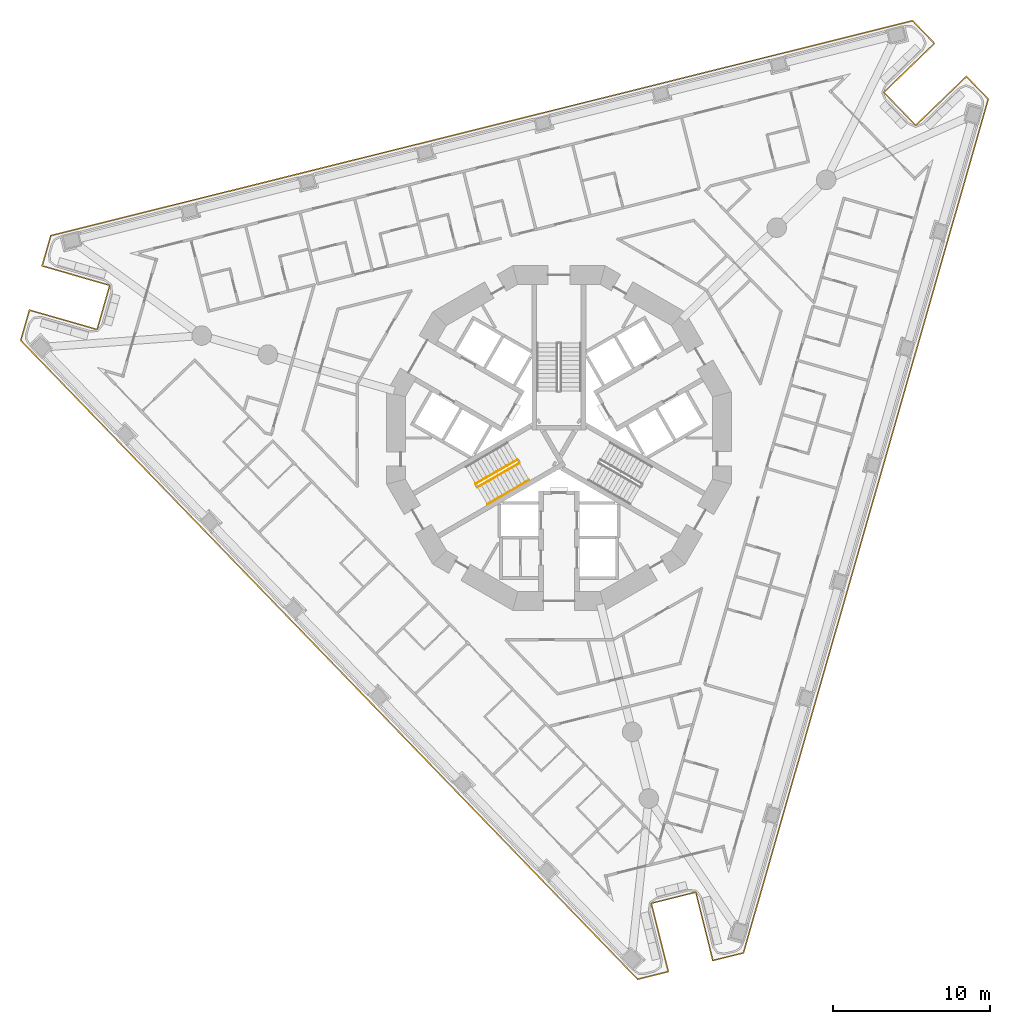
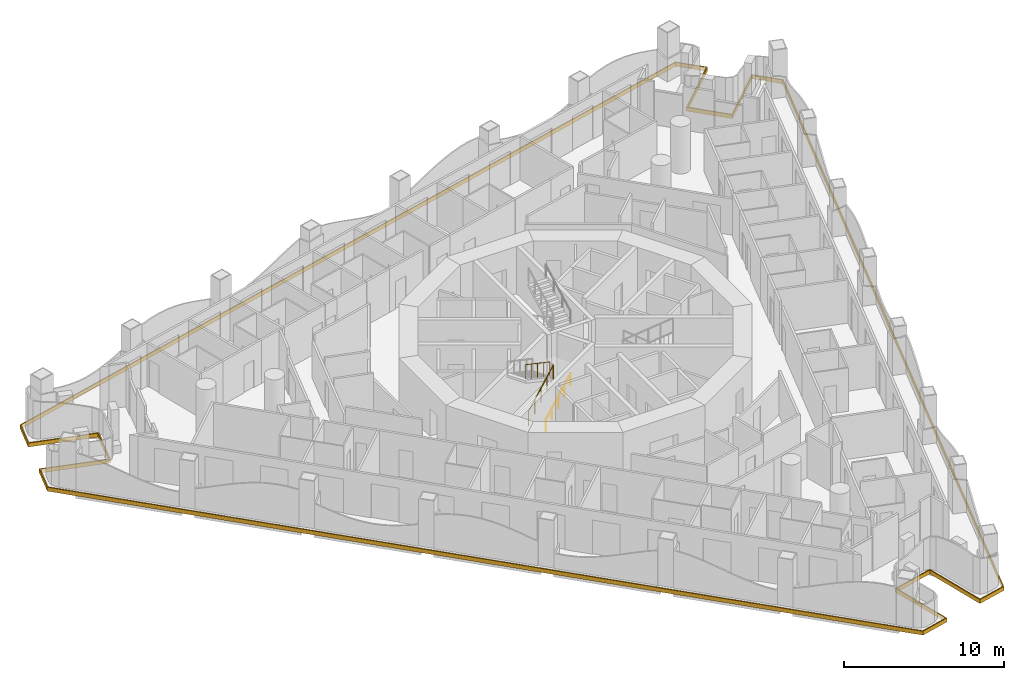
# One storey, part 14 of 20: 4 railings, 1 covering.
"""IFC4 building model written with IfcOpenShell, lengths in metres."""

import ifcopenshell
import ifcopenshell.guid

model = None  # the IFC model being written
_history = None  # IfcOwnerHistory: only IFC2X3 demands one
_inside = {}  # id of a spatial element -> (the spatial element, [elements in it])
_under = {}  # id of a project, library or spatial element -> (it, [spatial elements below it])
_declared = {}  # id of a project -> (the project, [libraries it declares])
_typed = {}  # id of a type object -> (the type object, [elements of that type])
_made_of = {}  # id of a material, layer set ... -> (it, [elements and type objects made of it])


def new_model(schema):
    """Start an empty IFC model of exactly this schema.

    Asked for "IFC4X3", IfcOpenShell would pick the latest addendum, in which some entities
    have other attributes; the version numbers below select the first issue.
    IFC2X3 requires an IfcOwnerHistory on every rooted entity: one is made here for all.
    """
    global model, _history
    if schema == "IFC4X3":
        model = ifcopenshell.file(schema_version=(4, 3, 0, 0))
    else:
        model = ifcopenshell.file(schema=schema)
    _inside.clear()
    _under.clear()
    _declared.clear()
    _typed.clear()
    _made_of.clear()
    _history = None
    if model.schema == "IFC2X3":
        org = make("IfcOrganization", Name="unknown")
        user = make(
            "IfcPersonAndOrganization",
            ThePerson=make("IfcPerson", FamilyName="unknown"),
            TheOrganization=org,
        )
        app = make(
            "IfcApplication",
            ApplicationDeveloper=org,
            Version="unknown",
            ApplicationFullName="unknown",
            ApplicationIdentifier="unknown",
        )
        _history = make(
            "IfcOwnerHistory",
            OwningUser=user,
            OwningApplication=app,
            ChangeAction="ADDED",
            CreationDate=0,
        )
    return model


def make(cls, **values):
    """One entity of the class cls with the attributes given. An attribute that is None is left unset."""
    return model.create_entity(
        cls, **{name: value for name, value in values.items() if value is not None}
    )


def rooted(cls, **values):
    """An entity with a GlobalId (a new one), such as an element, a storey or a relation."""
    return make(cls, GlobalId=ifcopenshell.guid.new(), OwnerHistory=_history, **values)


def si_unit(unit_type, name, prefix=None):
    """IfcSIUnit, for example si_unit("LENGTHUNIT", "METRE", prefix="MILLI")."""
    return make("IfcSIUnit", UnitType=unit_type, Prefix=prefix, Name=name)


def assignment(units):
    """IfcUnitAssignment: the units of a project."""
    return None if units is None else make("IfcUnitAssignment", Units=units)


def point(xyz):
    """IfcCartesianPoint."""
    return None if xyz is None else make("IfcCartesianPoint", Coordinates=xyz)


def direction(xyz):
    """IfcDirection."""
    return None if xyz is None else make("IfcDirection", DirectionRatios=xyz)


def frame(location, z_axis=None, x_axis=None):
    """IfcAxis2Placement3D, a coordinate frame: its origin and axes. An axis left out is left unset."""
    return make(
        "IfcAxis2Placement3D",
        Location=point(location),
        Axis=direction(z_axis),
        RefDirection=direction(x_axis),
    )


def frame_2d(location, x_axis=None):
    """IfcAxis2Placement2D, a coordinate frame in the plane: its origin and x axis."""
    return make(
        "IfcAxis2Placement2D", Location=point(location), RefDirection=direction(x_axis)
    )


def origin():
    """The frame at (0, 0, 0) with its axes left unset."""
    return frame((0.0, 0.0, 0.0))


def origin_2d():
    """The frame at (0, 0) in the plane with its x axis left unset."""
    return frame_2d((0.0, 0.0))


def place(relative_to, where):
    """IfcLocalPlacement: puts the frame where relative to a parent placement (None: the world)."""
    return make(
        "IfcLocalPlacement", PlacementRelTo=relative_to, RelativePlacement=where
    )


def context(
    kind, dimensions, precision=None, world=None, true_north=None, identifier=None
):
    """IfcGeometricRepresentationContext, for example the 3D "Model" context."""
    return make(
        "IfcGeometricRepresentationContext",
        ContextIdentifier=identifier,
        ContextType=kind,
        CoordinateSpaceDimension=dimensions,
        Precision=precision,
        WorldCoordinateSystem=world,
        TrueNorth=true_north,
    )


def subcontext(parent, identifier, kind, view, scale=None):
    """IfcGeometricRepresentationSubContext, for example "Body" below "Model"."""
    return make(
        "IfcGeometricRepresentationSubContext",
        ContextIdentifier=identifier,
        ContextType=kind,
        ParentContext=parent,
        TargetScale=scale,
        TargetView=view,
    )


def project(units=None, contexts=None):
    """IfcProject with its units and contexts."""
    return rooted(
        "IfcProject",
        Name="project",
        RepresentationContexts=contexts,
        UnitsInContext=assignment(units),
    )


def spatial(cls, under=None, at=None, **own):
    """A site, building, storey or space (cls), placed at a placement, below another one or the project."""
    s = rooted(cls, ObjectPlacement=at, **own)
    if under is not None:
        _under.setdefault(under.id(), (under, []))[1].append(s)
    return s


def polyline(points):
    """IfcPolyline through the points."""
    return make("IfcPolyline", Points=[point(p) for p in points])


def profile(cls, at=None, kind="AREA", **sizes):
    """A parametric profile (cls). Its sizes go by their IFC names, for example OverallWidth=200.0."""
    return make(cls, ProfileType=kind, Position=at, **sizes)


def circle(**sizes):
    """IfcCircleProfileDef."""
    return profile("IfcCircleProfileDef", **sizes)


def outline(outer, holes=None, kind="AREA"):
    """IfcArbitraryClosedProfileDef: a profile drawn as a closed curve; with holes, ...WithVoids."""
    if holes is None:
        return make("IfcArbitraryClosedProfileDef", ProfileType=kind, OuterCurve=outer)
    return make(
        "IfcArbitraryProfileDefWithVoids",
        ProfileType=kind,
        OuterCurve=outer,
        InnerCurves=holes,
    )


def extrude(swept, where, along, depth):
    """IfcExtrudedAreaSolid: the profile swept, set in the frame where, extruded along a direction by depth."""
    return make(
        "IfcExtrudedAreaSolid",
        SweptArea=swept,
        Position=where,
        ExtrudedDirection=direction(along),
        Depth=depth,
    )


def shape(context_of_items, identifier, shape_type, items):
    """IfcShapeRepresentation: the items that make up one representation, for example the "Body"."""
    return make(
        "IfcShapeRepresentation",
        ContextOfItems=context_of_items,
        RepresentationIdentifier=identifier,
        RepresentationType=shape_type,
        Items=items,
    )


def material(Name=None, Category=None):
    """IfcMaterial."""
    return make("IfcMaterial", Name=Name, Category=Category)


def layer(
    of_material, thickness, ventilated=None, Name=None, Category=None, Priority=None
):
    """IfcMaterialLayer: one layer of a wall or slab, of a material (None: an air gap)."""
    return make(
        "IfcMaterialLayer",
        Material=of_material,
        LayerThickness=thickness,
        IsVentilated=ventilated,
        Name=Name,
        Category=Category,
        Priority=Priority,
    )


def layer_set(layers, Name=None):
    """IfcMaterialLayerSet."""
    return make("IfcMaterialLayerSet", MaterialLayers=layers, LayerSetName=Name)


def made_of(thing, what):
    """Note that an element or type object is made of a material, layer set ...; save() writes the relation."""
    if what is not None:
        _made_of.setdefault(what.id(), (what, []))[1].append(thing)
    return thing


def type_object(cls, material=None, **own):
    """A type object (cls), such as IfcWallType, which elements share."""
    return made_of(rooted(cls, **own), material)


def element(
    cls,
    number,
    at=None,
    inside=None,
    cuts=None,
    type_object=None,
    material=None,
    context=None,
    identifier="Body",
    shape_type=None,
    held_by="IfcProductDefinitionShape",
    body=None,
    shapes=None,
    **own,
):
    """One element of the class cls, such as IfcWall. Its Tag is "e" and its number.

    at: its placement. inside: the storey or other place that contains it. cuts: it is an
    opening in that element (IfcRelVoidsElement). A single representation is given by context,
    identifier, shape_type and body (its items); several are given by shapes. held_by: the class
    of the entity that holds the representations. save() writes the other relations.
    """
    e = rooted(cls, Tag="e%d" % number, ObjectPlacement=at, **own)
    if body is not None:
        shapes = [shape(context, identifier, shape_type, body)]
    if shapes is not None:
        e.Representation = make(held_by, Representations=shapes)
    if inside is not None:
        _inside.setdefault(inside.id(), (inside, []))[1].append(e)
    if cuts is not None:
        rooted(
            "IfcRelVoidsElement", RelatingBuildingElement=cuts, RelatedOpeningElement=e
        )
    if type_object is not None:
        _typed.setdefault(type_object.id(), (type_object, []))[1].append(e)
    return made_of(e, material)


def aggregate(whole, parts):
    """IfcRelAggregates: a whole, such as a stair, and the parts it consists of."""
    return rooted("IfcRelAggregates", RelatingObject=whole, RelatedObjects=parts)


def save(model, path):
    """Write the relations noted so far, then the file.

    IfcRelAggregates (storeys below a building ...), IfcRelContainedInSpatialStructure (elements
    in a storey), IfcRelDefinesByType, IfcRelAssociatesMaterial and IfcRelDeclares: one each for
    every whole, place, type object, material and project.
    """
    for whole, parts in _under.values():
        aggregate(whole, parts)
    for where, things in _inside.values():
        rooted(
            "IfcRelContainedInSpatialStructure",
            RelatedElements=things,
            RelatingStructure=where,
        )
    for kind, things in _typed.values():
        rooted("IfcRelDefinesByType", RelatedObjects=things, RelatingType=kind)
    for what, things in _made_of.values():
        rooted("IfcRelAssociatesMaterial", RelatedObjects=things, RelatingMaterial=what)
    for by, libraries in _declared.values():
        rooted("IfcRelDeclares", RelatingContext=by, RelatedDefinitions=libraries)
    model.write(path)


model = new_model("IFC4")

# Units and contexts
model_context = context("Model", 3, precision=1e-05, world=origin(), true_north=direction((0.0, 1.0)))
body_context = subcontext(model_context, "Body", "Model", "MODEL_VIEW")
ifc_project = project(units=[si_unit("LENGTHUNIT", "METRE"), si_unit("AREAUNIT", "SQUARE_METRE"), si_unit("VOLUMEUNIT", "CUBIC_METRE"), si_unit("PLANEANGLEUNIT", "RADIAN"), si_unit("MASSUNIT", "GRAM", prefix="KILO")], contexts=[model_context])

# Site, building, storey
site_placement = place(None, origin())
site = spatial("IfcSite", under=ifc_project, at=site_placement, CompositionType="ELEMENT")
building_placement = place(site_placement, origin())
building = spatial("IfcBuilding", under=site, at=building_placement, Name="Trine Commons Tower", CompositionType="ELEMENT")
storey_placement = place(building_placement, frame((0.0, 0.0, 108.89990234375)))
storey = spatial("IfcBuildingStorey", under=building, at=storey_placement, Name="L27", CompositionType="ELEMENT", Elevation=108.89990234375)

# Covering
ifc_material_1 = material(Name="Limestone, honed", Category="masonry")
ifc_layer = layer(ifc_material_1, 0.074951171875)
ifc_layer_set = layer_set([ifc_layer], Name="Limestone, honed")
covering_type = type_object("IfcCoveringType", Name="Limestone spandrel panel 75", PredefinedType="CLADDING", material=ifc_layer_set)
covering_placement = place(storey_placement, frame((0.0, 0.0, -0.2998046875)))
element("IfcCovering", 1, at=covering_placement, inside=storey, type_object=covering_type, Name="Limestone spandrel panel 3-01", PredefinedType="CLADDING", context=body_context, shape_type="SweptSolid", body=[
    extrude(outline(polyline([(88.716064453125, 33.432373046875), (89.8046875, 29.06591796875), (91.8251953125, 29.56982421875), (107.478759765625, 84.159912109375), (106.031982421875, 85.657958984375), (102.795166015625, 82.531982421875), (100.815185546875, 84.58203125), (104.052490234375, 87.7080078125), (102.605712890625, 89.2060546875), (47.50244140625, 75.46728515625), (46.928466796875, 73.465576171875), (51.254150390625, 72.22509765625), (50.468505859375, 69.485595703125), (46.14306640625, 70.725830078125), (45.569091796875, 68.72412109375), (85.018798828125, 27.872802734375), (87.039306640625, 28.37646484375), (85.95068359375, 32.742919921875), (88.716064453125, 33.432373046875)]), holes=[polyline([(106.0302734375, 85.552001953125), (107.394775390625, 84.13916015625), (91.764892578125, 29.632080078125), (89.859375, 29.156982421875), (88.7705078125, 33.523193359375), (85.85986328125, 32.797607421875), (86.948486328125, 28.43115234375), (85.04248046875, 27.9560546875), (45.653076171875, 68.7451171875), (46.1943359375, 70.63330078125), (50.52001953125, 69.392822265625), (51.346923828125, 72.276611328125), (47.021240234375, 73.516845703125), (47.562744140625, 75.405029296875), (102.581787109375, 89.122802734375), (103.9462890625, 87.7099609375), (100.709228515625, 84.583984375), (102.793212890625, 82.426025390625), (106.0302734375, 85.552001953125)])]), origin(), (0.0, 0.0, 1.0), 0.2998046875),
])

# Railings
ifc_material_2 = material(Name="Stainless steel balustrade", Category="steel")
railing_type_1 = type_object("IfcRailingType", Name="Stair guard, steel balustrade 1100", PredefinedType="GUARDRAIL", material=ifc_material_2)
railing_1_placement = place(storey_placement, frame((74.80517578125, 59.3564453125, 0.150146484375)))
element("IfcRailing", 2, at=railing_1_placement, inside=storey, type_object=railing_type_1, Name="L27 ST2A stair guard 1", PredefinedType="GUARDRAIL", context=body_context, shape_type="SweptSolid", body=[
    extrude(circle(Radius=0.02392578125, at=origin_2d()), frame((0.0, 0.0, 1.076171875), z_axis=(0.76340495495, 0.440743040072, 0.472184759798), x_axis=(-0.499992328818, 0.866029832698, 0.0)), (0.0, 0.0, 1.0), 3.494140625),
    extrude(circle(Radius=0.02099609375, at=origin_2d()), origin(), (0.0, 0.0, 1.0), 1.052001953125),
    extrude(circle(Radius=0.02099609375, at=origin_2d()), frame((0.6669921875, 0.385009765625, 0.41259765625)), (0.0, 0.0, 1.0), 1.052001953125),
    extrude(circle(Radius=0.02099609375, at=origin_2d()), frame((1.333740234375, 0.77001953125, 0.824951171875)), (0.0, 0.0, 1.0), 1.052001953125),
    extrude(circle(Radius=0.02099609375, at=origin_2d()), frame((2.00048828125, 1.155029296875, 1.2373046875)), (0.0, 0.0, 1.0), 1.052001953125),
    extrude(circle(Radius=0.02099609375, at=origin_2d()), frame((2.66748046875, 1.5400390625, 1.64990234375)), (0.0, 0.0, 1.0), 1.052001953125),
])
railing_2_placement = place(storey_placement, frame((77.34765625, 61.113037109375, 1.9501953125)))
element("IfcRailing", 3, at=railing_2_placement, inside=storey, type_object=railing_type_1, Name="L27 ST2A stair guard 3", PredefinedType="GUARDRAIL", context=body_context, shape_type="SweptSolid", body=[
    extrude(circle(Radius=0.02392578125, at=origin_2d()), frame((0.0, 0.0, 1.076171875), z_axis=(-0.76340495495, -0.440743040072, 0.472184759798), x_axis=(0.499992328818, -0.866029832698, 0.0)), (0.0, 0.0, 1.0), 3.494140625),
    extrude(circle(Radius=0.02099609375, at=origin_2d()), origin(), (0.0, 0.0, 1.0), 1.052001953125),
    extrude(circle(Radius=0.02099609375, at=origin_2d()), frame((-0.6669921875, -0.385009765625, 0.41259765625)), (0.0, 0.0, 1.0), 1.052001953125),
    extrude(circle(Radius=0.02099609375, at=origin_2d()), frame((-1.333740234375, -0.77001953125, 0.824951171875)), (0.0, 0.0, 1.0), 1.052001953125),
    extrude(circle(Radius=0.02099609375, at=origin_2d()), frame((-2.00048828125, -1.155029296875, 1.2373046875)), (0.0, 0.0, 1.0), 1.052001953125),
    extrude(circle(Radius=0.02099609375, at=origin_2d()), frame((-2.66748046875, -1.5400390625, 1.64990234375)), (0.0, 0.0, 1.0), 1.052001953125),
])
ifc_material_3 = material(Name="Stainless steel handrail", Category="steel")
railing_type_2 = type_object("IfcRailingType", Name="Stair handrail, steel 900", PredefinedType="HANDRAIL", material=ifc_material_3)
for number, where, name in (
    (4, (75.43017578125, 58.27392578125, 0.150146484375), "L27 ST2A stair handrail 1"),
    (5, (76.763916015625, 59.0439453125, 0.97509765625), "L27 ST2A stair handrail 2"),
):
    element("IfcRailing", number, at=place(storey_placement, frame(where)), inside=storey, type_object=railing_type_2, Name=name, PredefinedType="HANDRAIL", context=body_context, shape_type="SweptSolid", body=[
        extrude(circle(Radius=0.02099609375, at=origin_2d()), frame((0.0, 0.0, 0.87890625), z_axis=(0.76340495495, 0.440743040072, 0.472184759798), x_axis=(-0.499992328818, 0.866029832698, 0.0)), (0.0, 0.0, 1.0), 1.7470703125),
        extrude(circle(Radius=0.01513671875, at=origin_2d()), origin(), (0.0, 0.0, 1.0), 0.85791015625),
        extrude(circle(Radius=0.01513671875, at=origin_2d()), frame((0.6669921875, 0.385009765625, 0.41259765625)), (0.0, 0.0, 1.0), 0.85791015625),
        extrude(circle(Radius=0.01513671875, at=origin_2d()), frame((1.333740234375, 0.77001953125, 0.824951171875)), (0.0, 0.0, 1.0), 0.85791015625),
    ])

save(model, "model.ifc")
